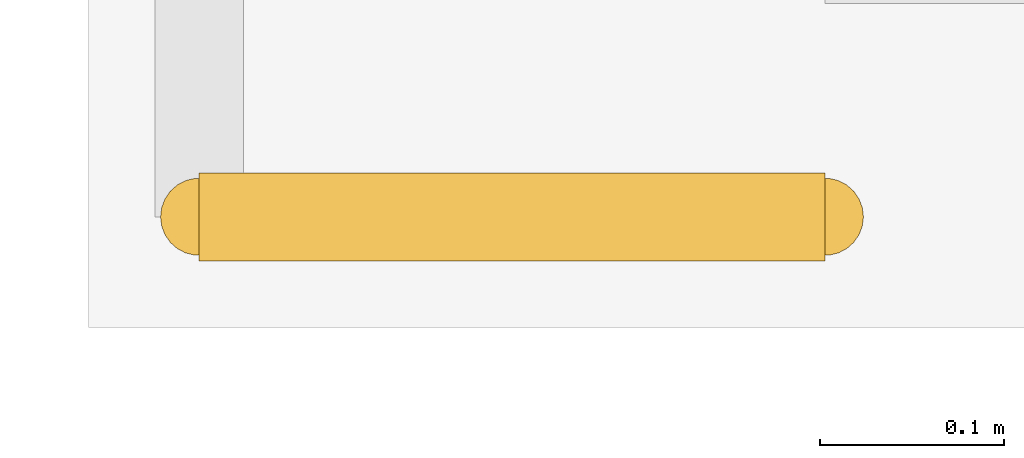
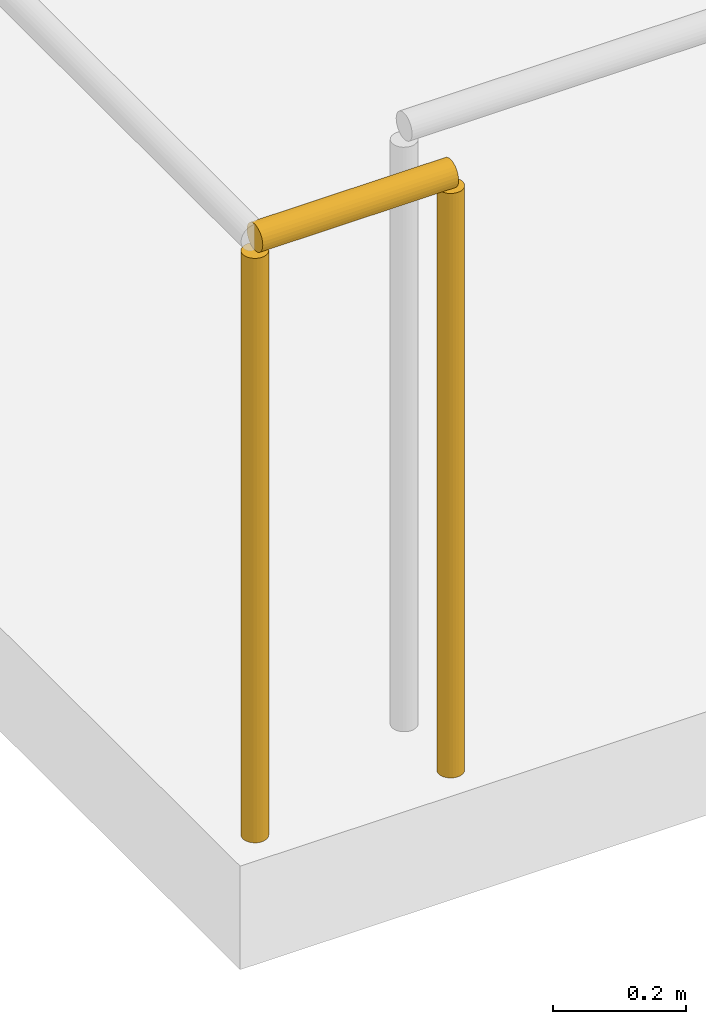
# One storey, part 138 of 143: 1 railing.
"""IFC4 building model written with IfcOpenShell, lengths in metres."""

from ifc_helpers import new_model, si_unit, direction, frame, origin, origin_2d, place, context, subcontext, project, spatial, circle, extrude, material, type_object, element, save


model = new_model("IFC4")

# Units and contexts
model_context = context("Model", 3, precision=1e-05, world=origin(), true_north=direction((0.0, 1.0)))
body_context = subcontext(model_context, "Body", "Model", "MODEL_VIEW")
ifc_project = project(units=[si_unit("LENGTHUNIT", "METRE"), si_unit("AREAUNIT", "SQUARE_METRE"), si_unit("VOLUMEUNIT", "CUBIC_METRE"), si_unit("PLANEANGLEUNIT", "RADIAN"), si_unit("MASSUNIT", "GRAM", prefix="KILO")], contexts=[model_context])

# Site, building, storey
site_placement = place(None, origin())
site = spatial("IfcSite", under=ifc_project, at=site_placement, CompositionType="ELEMENT")
building_placement = place(site_placement, origin())
building = spatial("IfcBuilding", under=site, at=building_placement, Name="Marlcrest Central Station", CompositionType="ELEMENT")
storey_placement = place(building_placement, frame((0.0, 0.0, 4.800048828125)))
storey = spatial("IfcBuildingStorey", under=building, at=storey_placement, Name="L01", CompositionType="ELEMENT", Elevation=4.800048828125)

# Railing
ifc_material = material(Name="Stainless steel and laminated glass concourse balustrade", Category="steel")
railing_type = type_object("IfcRailingType", Name="GR-02", PredefinedType="BALUSTRADE", material=ifc_material)
railing_placement = place(storey_placement, frame((144.39990234375, 92.260009765625, 0.0)))
element("IfcRailing", 1, at=railing_placement, inside=storey, type_object=railing_type, Name="hr-L01-00399", PredefinedType="BALUSTRADE", context=body_context, shape_type="SweptSolid", body=[
    extrude(circle(Radius=0.02392578125, at=origin_2d()), frame((0.0, 0.0, 1.09619140625), z_axis=(-1.0, 0.0, 0.0), x_axis=(0.0, -1.0, 0.0)), (0.0, 0.0, 1.0), 0.33984375),
    extrude(circle(Radius=0.02099609375, at=origin_2d()), origin(), (0.0, 0.0, 1.0), 1.072021484375),
    extrude(circle(Radius=0.02099609375, at=origin_2d()), frame((-0.33984375, 0.0, 0.0)), (0.0, 0.0, 1.0), 1.072021484375),
])

save(model, "model.ifc")
